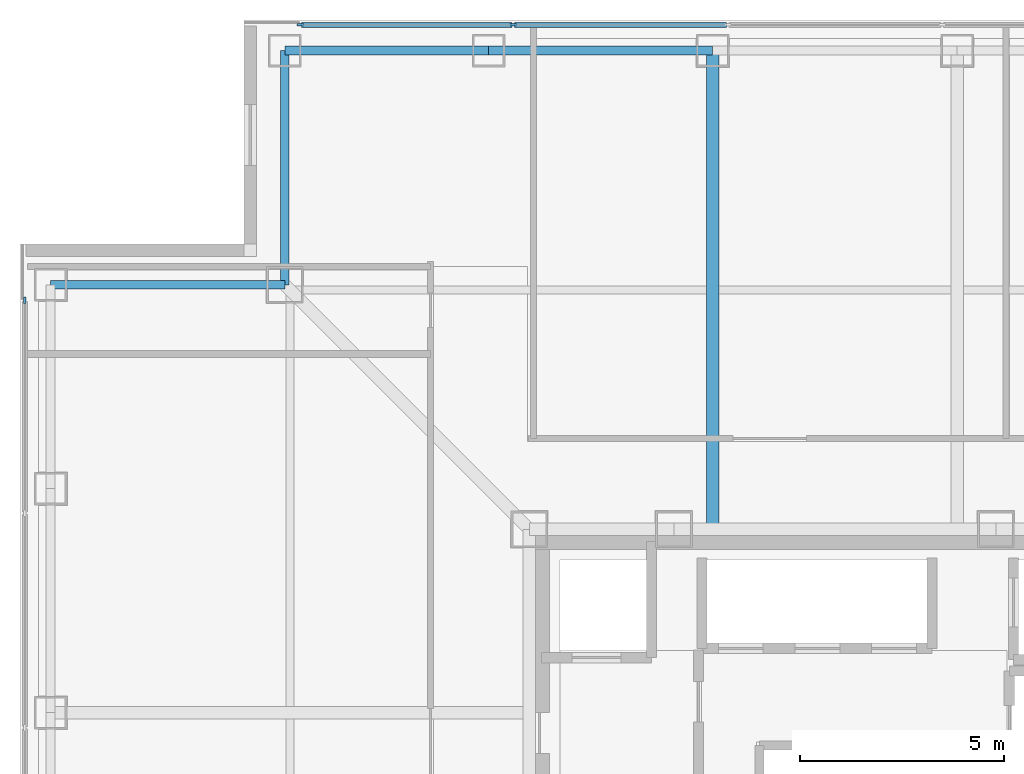
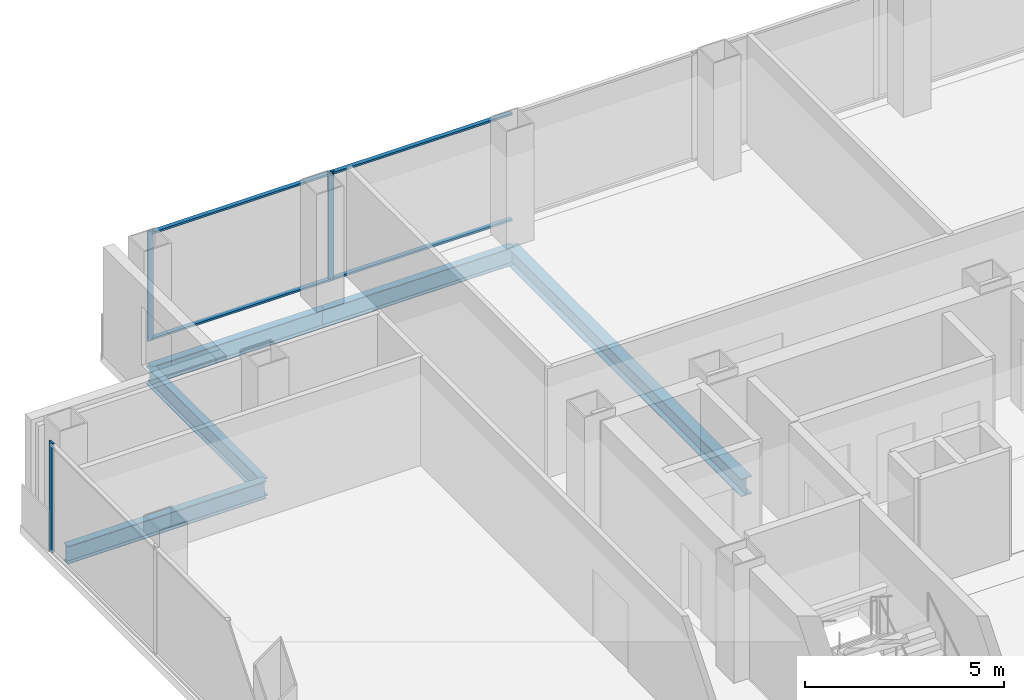
# One storey, part 7 of 18: 7 members, 5 beams, 2 elements without a shape of their own.
"""IFC4 building model written with IfcOpenShell, lengths in metres."""

import ifcopenshell
import ifcopenshell.guid

model = None  # the IFC model being written
_history = None  # IfcOwnerHistory: only IFC2X3 demands one
_inside = {}  # id of a spatial element -> (the spatial element, [elements in it])
_under = {}  # id of a project, library or spatial element -> (it, [spatial elements below it])
_declared = {}  # id of a project -> (the project, [libraries it declares])
_typed = {}  # id of a type object -> (the type object, [elements of that type])
_made_of = {}  # id of a material, layer set ... -> (it, [elements and type objects made of it])


def new_model(schema):
    """Start an empty IFC model of exactly this schema.

    Asked for "IFC4X3", IfcOpenShell would pick the latest addendum, in which some entities
    have other attributes; the version numbers below select the first issue.
    IFC2X3 requires an IfcOwnerHistory on every rooted entity: one is made here for all.
    """
    global model, _history
    if schema == "IFC4X3":
        model = ifcopenshell.file(schema_version=(4, 3, 0, 0))
    else:
        model = ifcopenshell.file(schema=schema)
    _inside.clear()
    _under.clear()
    _declared.clear()
    _typed.clear()
    _made_of.clear()
    _history = None
    if model.schema == "IFC2X3":
        org = make("IfcOrganization", Name="unknown")
        user = make(
            "IfcPersonAndOrganization",
            ThePerson=make("IfcPerson", FamilyName="unknown"),
            TheOrganization=org,
        )
        app = make(
            "IfcApplication",
            ApplicationDeveloper=org,
            Version="unknown",
            ApplicationFullName="unknown",
            ApplicationIdentifier="unknown",
        )
        _history = make(
            "IfcOwnerHistory",
            OwningUser=user,
            OwningApplication=app,
            ChangeAction="ADDED",
            CreationDate=0,
        )
    return model


def make(cls, **values):
    """One entity of the class cls with the attributes given. An attribute that is None is left unset."""
    return model.create_entity(
        cls, **{name: value for name, value in values.items() if value is not None}
    )


def rooted(cls, **values):
    """An entity with a GlobalId (a new one), such as an element, a storey or a relation."""
    return make(cls, GlobalId=ifcopenshell.guid.new(), OwnerHistory=_history, **values)


def si_unit(unit_type, name, prefix=None):
    """IfcSIUnit, for example si_unit("LENGTHUNIT", "METRE", prefix="MILLI")."""
    return make("IfcSIUnit", UnitType=unit_type, Prefix=prefix, Name=name)


def assignment(units):
    """IfcUnitAssignment: the units of a project."""
    return None if units is None else make("IfcUnitAssignment", Units=units)


def point(xyz):
    """IfcCartesianPoint."""
    return None if xyz is None else make("IfcCartesianPoint", Coordinates=xyz)


def direction(xyz):
    """IfcDirection."""
    return None if xyz is None else make("IfcDirection", DirectionRatios=xyz)


def frame(location, z_axis=None, x_axis=None):
    """IfcAxis2Placement3D, a coordinate frame: its origin and axes. An axis left out is left unset."""
    return make(
        "IfcAxis2Placement3D",
        Location=point(location),
        Axis=direction(z_axis),
        RefDirection=direction(x_axis),
    )


def frame_2d(location, x_axis=None):
    """IfcAxis2Placement2D, a coordinate frame in the plane: its origin and x axis."""
    return make(
        "IfcAxis2Placement2D", Location=point(location), RefDirection=direction(x_axis)
    )


def origin():
    """The frame at (0, 0, 0) with its axes left unset."""
    return frame((0.0, 0.0, 0.0))


def origin_2d():
    """The frame at (0, 0) in the plane with its x axis left unset."""
    return frame_2d((0.0, 0.0))


def place(relative_to, where):
    """IfcLocalPlacement: puts the frame where relative to a parent placement (None: the world)."""
    return make(
        "IfcLocalPlacement", PlacementRelTo=relative_to, RelativePlacement=where
    )


def context(
    kind, dimensions, precision=None, world=None, true_north=None, identifier=None
):
    """IfcGeometricRepresentationContext, for example the 3D "Model" context."""
    return make(
        "IfcGeometricRepresentationContext",
        ContextIdentifier=identifier,
        ContextType=kind,
        CoordinateSpaceDimension=dimensions,
        Precision=precision,
        WorldCoordinateSystem=world,
        TrueNorth=true_north,
    )


def subcontext(parent, identifier, kind, view, scale=None):
    """IfcGeometricRepresentationSubContext, for example "Body" below "Model"."""
    return make(
        "IfcGeometricRepresentationSubContext",
        ContextIdentifier=identifier,
        ContextType=kind,
        ParentContext=parent,
        TargetScale=scale,
        TargetView=view,
    )


def project(units=None, contexts=None):
    """IfcProject with its units and contexts."""
    return rooted(
        "IfcProject",
        Name="project",
        RepresentationContexts=contexts,
        UnitsInContext=assignment(units),
    )


def spatial(cls, under=None, at=None, **own):
    """A site, building, storey or space (cls), placed at a placement, below another one or the project."""
    s = rooted(cls, ObjectPlacement=at, **own)
    if under is not None:
        _under.setdefault(under.id(), (under, []))[1].append(s)
    return s


def profile(cls, at=None, kind="AREA", **sizes):
    """A parametric profile (cls). Its sizes go by their IFC names, for example OverallWidth=200.0."""
    return make(cls, ProfileType=kind, Position=at, **sizes)


def rectangle(**sizes):
    """IfcRectangleProfileDef."""
    return profile("IfcRectangleProfileDef", **sizes)


def i_section(**sizes):
    """IfcIShapeProfileDef."""
    return profile("IfcIShapeProfileDef", **sizes)


def extrude(swept, where, along, depth):
    """IfcExtrudedAreaSolid: the profile swept, set in the frame where, extruded along a direction by depth."""
    return make(
        "IfcExtrudedAreaSolid",
        SweptArea=swept,
        Position=where,
        ExtrudedDirection=direction(along),
        Depth=depth,
    )


def shape(context_of_items, identifier, shape_type, items):
    """IfcShapeRepresentation: the items that make up one representation, for example the "Body"."""
    return make(
        "IfcShapeRepresentation",
        ContextOfItems=context_of_items,
        RepresentationIdentifier=identifier,
        RepresentationType=shape_type,
        Items=items,
    )


def material(Name=None, Category=None):
    """IfcMaterial."""
    return make("IfcMaterial", Name=Name, Category=Category)


def layer(
    of_material, thickness, ventilated=None, Name=None, Category=None, Priority=None
):
    """IfcMaterialLayer: one layer of a wall or slab, of a material (None: an air gap)."""
    return make(
        "IfcMaterialLayer",
        Material=of_material,
        LayerThickness=thickness,
        IsVentilated=ventilated,
        Name=Name,
        Category=Category,
        Priority=Priority,
    )


def layer_set(layers, Name=None):
    """IfcMaterialLayerSet."""
    return make("IfcMaterialLayerSet", MaterialLayers=layers, LayerSetName=Name)


def material_profile(
    of_material, cross_section, Name=None, Category=None, Priority=None
):
    """IfcMaterialProfile: a cross section and its material."""
    return make(
        "IfcMaterialProfile",
        Name=Name,
        Material=of_material,
        Profile=cross_section,
        Priority=Priority,
        Category=Category,
    )


def profile_set(profiles, Name=None, composite=None):
    """IfcMaterialProfileSet."""
    return make(
        "IfcMaterialProfileSet",
        Name=Name,
        MaterialProfiles=profiles,
        CompositeProfile=composite,
    )


def made_of(thing, what):
    """Note that an element or type object is made of a material, layer set ...; save() writes the relation."""
    if what is not None:
        _made_of.setdefault(what.id(), (what, []))[1].append(thing)
    return thing


def type_object(cls, material=None, **own):
    """A type object (cls), such as IfcWallType, which elements share."""
    return made_of(rooted(cls, **own), material)


def element(
    cls,
    number,
    at=None,
    inside=None,
    cuts=None,
    type_object=None,
    material=None,
    context=None,
    identifier="Body",
    shape_type=None,
    held_by="IfcProductDefinitionShape",
    body=None,
    shapes=None,
    **own,
):
    """One element of the class cls, such as IfcWall. Its Tag is "e" and its number.

    at: its placement. inside: the storey or other place that contains it. cuts: it is an
    opening in that element (IfcRelVoidsElement). A single representation is given by context,
    identifier, shape_type and body (its items); several are given by shapes. held_by: the class
    of the entity that holds the representations. save() writes the other relations.
    """
    e = rooted(cls, Tag="e%d" % number, ObjectPlacement=at, **own)
    if body is not None:
        shapes = [shape(context, identifier, shape_type, body)]
    if shapes is not None:
        e.Representation = make(held_by, Representations=shapes)
    if inside is not None:
        _inside.setdefault(inside.id(), (inside, []))[1].append(e)
    if cuts is not None:
        rooted(
            "IfcRelVoidsElement", RelatingBuildingElement=cuts, RelatedOpeningElement=e
        )
    if type_object is not None:
        _typed.setdefault(type_object.id(), (type_object, []))[1].append(e)
    return made_of(e, material)


def aggregate(whole, parts):
    """IfcRelAggregates: a whole, such as a stair, and the parts it consists of."""
    return rooted("IfcRelAggregates", RelatingObject=whole, RelatedObjects=parts)


def save(model, path):
    """Write the relations noted so far, then the file.

    IfcRelAggregates (storeys below a building ...), IfcRelContainedInSpatialStructure (elements
    in a storey), IfcRelDefinesByType, IfcRelAssociatesMaterial and IfcRelDeclares: one each for
    every whole, place, type object, material and project.
    """
    for whole, parts in _under.values():
        aggregate(whole, parts)
    for where, things in _inside.values():
        rooted(
            "IfcRelContainedInSpatialStructure",
            RelatedElements=things,
            RelatingStructure=where,
        )
    for kind, things in _typed.values():
        rooted("IfcRelDefinesByType", RelatedObjects=things, RelatingType=kind)
    for what, things in _made_of.values():
        rooted("IfcRelAssociatesMaterial", RelatedObjects=things, RelatingMaterial=what)
    for by, libraries in _declared.values():
        rooted("IfcRelDeclares", RelatingContext=by, RelatedDefinitions=libraries)
    model.write(path)


model = new_model("IFC4")

# Units and contexts
model_context = context("Model", 3, precision=1e-05, world=origin(), true_north=direction((0.0, 1.0)))
body_context = subcontext(model_context, "Body", "Model", "MODEL_VIEW")
ifc_project = project(units=[si_unit("LENGTHUNIT", "METRE"), si_unit("AREAUNIT", "SQUARE_METRE"), si_unit("VOLUMEUNIT", "CUBIC_METRE"), si_unit("PLANEANGLEUNIT", "RADIAN"), si_unit("MASSUNIT", "GRAM", prefix="KILO")], contexts=[model_context])

# Site, building, storey
site_placement = place(None, origin())
site = spatial("IfcSite", under=ifc_project, at=site_placement, CompositionType="ELEMENT")
building_placement = place(site_placement, origin())
building = spatial("IfcBuilding", under=site, at=building_placement, Name="Trevonay Congress Spire", CompositionType="ELEMENT")
storey_placement = place(building_placement, frame((0.0, 0.0, 198.60009765625)))
storey = spatial("IfcBuildingStorey", under=building, at=storey_placement, Name="L51", CompositionType="ELEMENT", Elevation=198.60009765625)

# Beams
ifc_material_1 = material(Name="Steel ASTM A572 Grade 50", Category="steel")
ifc_material_profile_1 = material_profile(ifc_material_1, i_section(OverallWidth=0.31201171875, OverallDepth=0.54296875, WebThickness=0.0126953125, FlangeThickness=0.020263671875, FilletRadius=0.014892578125, at=origin_2d()), Name="W530x150")
ifc_profile_set_1 = profile_set([ifc_material_profile_1], Name="Steel ASTM A572 Grade 50")
beam_type_1 = type_object("IfcBeamType", Name="BM-GIRD-W530X150", PredefinedType="BEAM", material=ifc_profile_set_1)
beam_1_placement = place(storey_placement, frame((-3.0, 7.5, -0.51171875), z_axis=(0.0, 1.0, 0.0), x_axis=(-1.0, 0.0, 0.0)))
element("IfcBeam", 1, at=beam_1_placement, inside=storey, type_object=beam_type_1, Name="L51 structural beam BM-L51-GN-M", PredefinedType="BEAM", context=body_context, shape_type="SweptSolid", body=[
    extrude(i_section(OverallWidth=0.31201171875, OverallDepth=0.54296875, WebThickness=0.0126953125, FlangeThickness=0.020263671875, FilletRadius=0.014892578125, at=origin_2d()), origin(), (0.0, 0.0, 1.0), 11.75),
])
ifc_material_profile_2 = material_profile(ifc_material_1, i_section(OverallWidth=0.2119140625, OverallDepth=0.5439453125, WebThickness=0.01318359375, FlangeThickness=0.021240234375, FilletRadius=0.014892578125, at=origin_2d()), Name="W530x123")
ifc_profile_set_2 = profile_set([ifc_material_profile_2], Name="Steel ASTM A572 Grade 50")
beam_type_2 = type_object("IfcBeamType", Name="BM-RING-W530X123", PredefinedType="BEAM", material=ifc_profile_set_2)
beam_2_placement = place(storey_placement, frame((-13.5, 19.25, -0.51220703125), z_axis=(1.0, 0.0, 0.0), x_axis=(0.0, 1.0, 0.0)))
element("IfcBeam", 2, at=beam_2_placement, inside=storey, type_object=beam_type_2, Name="L51 structural beam BM-L51-PN1", PredefinedType="BEAM", context=body_context, shape_type="SweptSolid", body=[
    extrude(i_section(OverallWidth=0.2119140625, OverallDepth=0.5439453125, WebThickness=0.01318359375, FlangeThickness=0.021240234375, FilletRadius=0.014892578125, at=origin_2d()), origin(), (0.0, 0.0, 1.0), 5.0),
])
beam_3_placement = place(storey_placement, frame((-8.5, 19.25, -0.51220703125), z_axis=(1.0, 0.0, 0.0), x_axis=(0.0, 1.0, 0.0)))
element("IfcBeam", 3, at=beam_3_placement, inside=storey, type_object=beam_type_2, Name="L51 structural beam BM-L51-PN2", PredefinedType="BEAM", context=body_context, shape_type="SweptSolid", body=[
    extrude(i_section(OverallWidth=0.2119140625, OverallDepth=0.5439453125, WebThickness=0.01318359375, FlangeThickness=0.021240234375, FilletRadius=0.014892578125, at=origin_2d()), origin(), (0.0, 0.0, 1.0), 5.5),
])
for number, where, z_axis, x_axis, name in (
    (4, (-13.5, 19.25, -0.51220703125), (0.0, -1.0, 0.0), (1.0, 0.0, 0.0), "L51 structural beam BM-L51-N1NW"),
    (5, (-19.25, 13.5, -0.51220703125), (1.0, 0.0, 0.0), (0.0, 1.0, 0.0), "L51 structural beam BM-L51-N2NW"),
):
    element("IfcBeam", number, at=place(storey_placement, frame(where, z_axis=z_axis, x_axis=x_axis)), inside=storey, type_object=beam_type_2, Name=name, PredefinedType="BEAM", context=body_context, shape_type="SweptSolid", body=[
        extrude(i_section(OverallWidth=0.2119140625, OverallDepth=0.5439453125, WebThickness=0.01318359375, FlangeThickness=0.021240234375, FilletRadius=0.014892578125, at=origin_2d()), origin(), (0.0, 0.0, 1.0), 5.75),
    ])

# Curtain wall, members
ifc_material_2 = material(Name="Pale Anodised Aluminium EN AW-6063-T6", Category="aluminium")
ifc_layer = layer(ifc_material_2, 0.169921875, Name="Pale Anodised Aluminium EN AW-6063-T6")
ifc_layer_set = layer_set([ifc_layer], Name="Pale Anodised Aluminium EN AW-6063-T6")
curtain_wall_type = type_object("IfcCurtainWallType", Name="CW-SYS04-CORP-PALE-METAL", PredefinedType="NOTDEFINED", material=ifc_layer_set)
curtain_wall_1_placement = place(storey_placement, origin())
curtain_wall_1 = element("IfcCurtainWall", 6, at=curtain_wall_1_placement, inside=storey, type_object=curtain_wall_type, Name="L51 N unitised curtain wall", PredefinedType="NOTDEFINED")
ifc_material_profile_3 = material_profile(ifc_material_2, rectangle(XDim=0.06005859375, YDim=0.159912109375, at=origin_2d()), Name="CW-MULLION-160-ALUMINIUM")
ifc_profile_set_3 = profile_set([ifc_material_profile_3], Name="Pale Anodised Aluminium EN AW-6063-T6")
member_type_1 = type_object("IfcMemberType", Name="CW-MULLION-160-ALUMINIUM", PredefinedType="MULLION", material=ifc_profile_set_3)
member_1_placement = place(storey_placement, frame((-13.1201171875, 19.8798828125, 0.0), z_axis=(0.0, 0.0, 1.0), x_axis=(0.0, 1.0, 0.0)))
member_1 = element("IfcMember", 7, at=member_1_placement, type_object=member_type_1, Name="CW04 mullion 1", PredefinedType="MULLION", context=body_context, shape_type="SweptSolid", body=[
    extrude(rectangle(XDim=0.06005859375, YDim=0.159912109375, at=origin_2d()), origin(), (0.0, 0.0, 1.0), 3.35986328125),
])
member_2_placement = place(storey_placement, frame((-7.889892578125, 19.8798828125, 0.0), z_axis=(0.0, 0.0, 1.0), x_axis=(0.0, 1.0, 0.0)))
member_2 = element("IfcMember", 8, at=member_2_placement, type_object=member_type_1, Name="CW04 mullion 2", PredefinedType="MULLION", context=body_context, shape_type="SweptSolid", body=[
    extrude(rectangle(XDim=0.06005859375, YDim=0.159912109375, at=origin_2d()), origin(), (0.0, 0.0, 1.0), 3.35986328125),
])

# Curtain wall, member
curtain_wall_2_placement = place(storey_placement, origin())
curtain_wall_2 = element("IfcCurtainWall", 9, at=curtain_wall_2_placement, inside=storey, type_object=curtain_wall_type, Name="L51 W unitised curtain wall", PredefinedType="NOTDEFINED")
member_3_placement = place(storey_placement, frame((-19.8798828125, 13.1201171875, 0.0), z_axis=(0.0, 0.0, 1.0), x_axis=(-1.0, 0.0, 0.0)))
member_3 = element("IfcMember", 10, at=member_3_placement, type_object=member_type_1, Name="CW04 mullion 6", PredefinedType="MULLION", context=body_context, shape_type="SweptSolid", body=[
    extrude(rectangle(XDim=0.06005859375, YDim=0.159912109375, at=origin_2d()), origin(), (0.0, 0.0, 1.0), 3.35986328125),
])
aggregate(curtain_wall_2, [member_3])

# Member
ifc_material_profile_4 = material_profile(ifc_material_2, rectangle(XDim=0.1201171875, YDim=0.06005859375, at=origin_2d()), Name="CW-TRANSOM-120-ALUMINIUM")
ifc_profile_set_4 = profile_set([ifc_material_profile_4], Name="Pale Anodised Aluminium EN AW-6063-T6")
member_type_2 = type_object("IfcMemberType", Name="CW-TRANSOM-120-ALUMINIUM", PredefinedType="USERDEFINED", material=ifc_profile_set_4)
member_4_placement = place(storey_placement, frame((-13.090087890625, 19.8798828125, 0.059814453125), z_axis=(1.0, 0.0, 0.0), x_axis=(0.0, 1.0, 0.0)))
member_4 = element("IfcMember", 11, at=member_4_placement, type_object=member_type_2, Name="CW04 transom 1.1", ObjectType="TRANSOM", PredefinedType="USERDEFINED", context=body_context, shape_type="SweptSolid", body=[
    extrude(rectangle(XDim=0.1201171875, YDim=0.06005859375, at=origin_2d()), origin(), (0.0, 0.0, 1.0), 5.170166015625),
])

member_5_placement = place(storey_placement, frame((-13.090087890625, 19.8798828125, 3.2998046875), z_axis=(1.0, 0.0, 0.0), x_axis=(0.0, 1.0, 0.0)))
member_5 = element("IfcMember", 12, at=member_5_placement, type_object=member_type_2, Name="CW04 transom 1.2", ObjectType="TRANSOM", PredefinedType="USERDEFINED", context=body_context, shape_type="SweptSolid", body=[
    extrude(rectangle(XDim=0.1201171875, YDim=0.06005859375, at=origin_2d()), origin(), (0.0, 0.0, 1.0), 5.170166015625),
])

member_6_placement = place(storey_placement, frame((-7.860107421875, 19.8798828125, 0.059814453125), z_axis=(1.0, 0.0, 0.0), x_axis=(0.0, 1.0, 0.0)))
member_6 = element("IfcMember", 13, at=member_6_placement, type_object=member_type_2, Name="CW04 transom 2.1", ObjectType="TRANSOM", PredefinedType="USERDEFINED", context=body_context, shape_type="SweptSolid", body=[
    extrude(rectangle(XDim=0.1201171875, YDim=0.06005859375, at=origin_2d()), origin(), (0.0, 0.0, 1.0), 5.2001953125),
])

member_7_placement = place(storey_placement, frame((-7.860107421875, 19.8798828125, 3.2998046875), z_axis=(1.0, 0.0, 0.0), x_axis=(0.0, 1.0, 0.0)))
member_7 = element("IfcMember", 14, at=member_7_placement, type_object=member_type_2, Name="CW04 transom 2.2", ObjectType="TRANSOM", PredefinedType="USERDEFINED", context=body_context, shape_type="SweptSolid", body=[
    extrude(rectangle(XDim=0.1201171875, YDim=0.06005859375, at=origin_2d()), origin(), (0.0, 0.0, 1.0), 5.2001953125),
])

aggregate(curtain_wall_1, [member_1, member_2, member_4, member_5, member_6, member_7])

save(model, "model.ifc")
